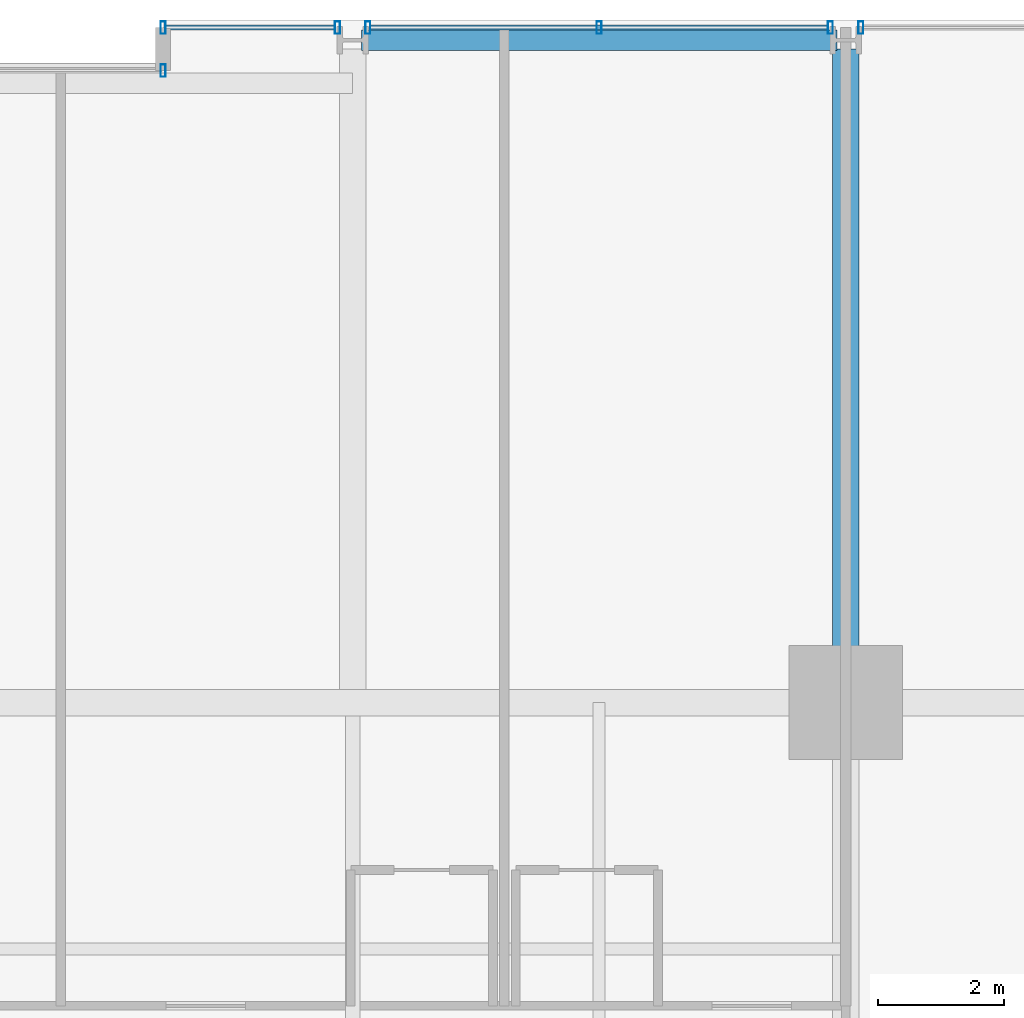
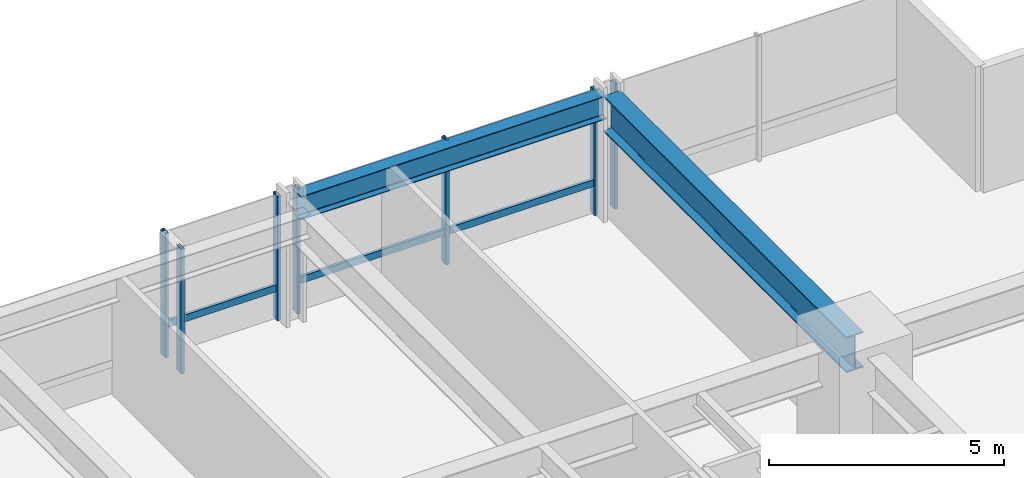
# One storey, part 27 of 38: 9 members, 2 beams, 4 elements without a shape of their own.
"""IFC4 building model written with IfcOpenShell, lengths in metres."""

from ifc_helpers import new_model, si_unit, direction, frame, origin, origin_2d, place, context, subcontext, project, spatial, hollow_rectangle, i_section, extrude, material, layer, layer_set, material_profile, profile_set, type_object, element, aggregate, save


model = new_model("IFC4")

# Units and contexts
model_context = context("Model", 3, precision=1e-05, world=origin(), true_north=direction((0.0, 1.0)))
body_context = subcontext(model_context, "Body", "Model", "MODEL_VIEW")
ifc_project = project(units=[si_unit("LENGTHUNIT", "METRE"), si_unit("AREAUNIT", "SQUARE_METRE"), si_unit("VOLUMEUNIT", "CUBIC_METRE"), si_unit("PLANEANGLEUNIT", "RADIAN"), si_unit("MASSUNIT", "GRAM", prefix="KILO")], contexts=[model_context])

# Site, building, storey
site_placement = place(None, origin())
site = spatial("IfcSite", under=ifc_project, at=site_placement, CompositionType="ELEMENT")
building_placement = place(site_placement, origin())
building = spatial("IfcBuilding", under=site, at=building_placement, Name="Drelvath Grand Hotel", CompositionType="ELEMENT")
storey_placement = place(building_placement, frame((0.0, 0.0, 57.699951171875)))
storey = spatial("IfcBuildingStorey", under=building, at=storey_placement, Name="L13", CompositionType="ELEMENT", Elevation=57.699951171875)

# Curtain wall, member
ifc_material_1 = material(Name="Warm Bronze Anodised Aluminium Frame", Category="aluminium")
ifc_layer = layer(ifc_material_1, 0.199951171875)
ifc_layer_set = layer_set([ifc_layer], Name="Warm Bronze Anodised Aluminium Frame")
curtain_wall_type = type_object("IfcCurtainWallType", Name="Stick Curtain Wall CW-02 Warm Bronze Low-Rise", PredefinedType="NOTDEFINED", material=ifc_layer_set)
curtain_wall_1_placement = place(storey_placement, origin())
curtain_wall_1 = element("IfcCurtainWall", 1, at=curtain_wall_1_placement, inside=storey, type_object=curtain_wall_type, Name="L13 CW-02 Curtain Wall CW02-L13-NE1", PredefinedType="NOTDEFINED")
ifc_material_profile_1 = material_profile(ifc_material_1, hollow_rectangle(XDim=0.074951171875, YDim=0.179931640625, WallThickness=0.0048828125, at=origin_2d()), Name="HSS180X75X5")
ifc_profile_set_1 = profile_set([ifc_material_profile_1], Name="Warm Bronze Anodised Aluminium Frame")
member_type_1 = type_object("IfcMemberType", Name="Curtain Wall Horizontal Transom CW-02 HSS180X75X5", PredefinedType="USERDEFINED", material=ifc_profile_set_1)
member_1_placement = place(storey_placement, frame((5.43994140625, 53.8798828125, 0.81005859375), z_axis=(1.0, 0.0, 0.0), x_axis=(0.0, 1.0, 0.0)))
member_1 = element("IfcMember", 2, at=member_1_placement, type_object=member_type_1, Name="CW02-L13-NE1 Sill Transom", ObjectType="TRANSOM", PredefinedType="USERDEFINED", context=body_context, shape_type="SweptSolid", body=[
    extrude(hollow_rectangle(XDim=0.074951171875, YDim=0.179931640625, WallThickness=0.0048828125, at=origin_2d()), origin(), (0.0, 0.0, 1.0), 2.67919921875),
])

curtain_wall_2_placement = place(storey_placement, origin())
curtain_wall_2 = element("IfcCurtainWall", 3, at=curtain_wall_2_placement, inside=storey, type_object=curtain_wall_type, Name="L13 CW-02 Curtain Wall CW02-L13-NE2", PredefinedType="NOTDEFINED")
member_2_placement = place(storey_placement, frame((8.680908203125, 53.8798828125, 0.81005859375), z_axis=(1.0, 0.0, 0.0), x_axis=(0.0, 1.0, 0.0)))
member_2 = element("IfcMember", 4, at=member_2_placement, type_object=member_type_1, Name="CW02-L13-NE2 Sill Transom", ObjectType="TRANSOM", PredefinedType="USERDEFINED", context=body_context, shape_type="SweptSolid", body=[
    extrude(hollow_rectangle(XDim=0.074951171875, YDim=0.179931640625, WallThickness=0.0048828125, at=origin_2d()), origin(), (0.0, 0.0, 1.0), 7.23828125),
])

curtain_wall_3_placement = place(storey_placement, origin())
curtain_wall_3 = element("IfcCurtainWall", 5, at=curtain_wall_3_placement, inside=storey, type_object=curtain_wall_type, Name="L13 CW-02 Curtain Wall CW02-L13-NM2", PredefinedType="NOTDEFINED")
ifc_material_profile_2 = material_profile(ifc_material_1, hollow_rectangle(XDim=0.080078125, YDim=0.199951171875, WallThickness=0.0048828125, at=origin_2d()), Name="HSS200X80X5")
ifc_profile_set_2 = profile_set([ifc_material_profile_2], Name="Warm Bronze Anodised Aluminium Frame")
member_type_2 = type_object("IfcMemberType", Name="Curtain Wall Vertical Mullion CW-02 HSS200X80X5", PredefinedType="MULLION", material=ifc_profile_set_2)
member_3_placement = place(storey_placement, frame((5.39990234375, 53.199951171875, 0.0), z_axis=(0.0, 0.0, 1.0), x_axis=(1.0, 0.0, 0.0)))
member_3 = element("IfcMember", 6, at=member_3_placement, type_object=member_type_2, Name="CW02-L13-NM2 Mullion 2", PredefinedType="MULLION", context=body_context, shape_type="SweptSolid", body=[
    extrude(hollow_rectangle(XDim=0.080078125, YDim=0.199951171875, WallThickness=0.0048828125, at=origin_2d()), origin(), (0.0, 0.0, 1.0), 3.239990234375),
])
aggregate(curtain_wall_3, [member_3])

# Member
member_4_placement = place(storey_placement, frame((5.39990234375, 53.8798828125, 0.0), z_axis=(0.0, 0.0, 1.0), x_axis=(1.0, 0.0, 0.0)))
member_4 = element("IfcMember", 7, at=member_4_placement, type_object=member_type_2, Name="CW02-L13-NE1 Mullion 1", PredefinedType="MULLION", context=body_context, shape_type="SweptSolid", body=[
    extrude(hollow_rectangle(XDim=0.080078125, YDim=0.199951171875, WallThickness=0.0048828125, at=origin_2d()), origin(), (0.0, 0.0, 1.0), 3.239990234375),
])

member_5_placement = place(storey_placement, frame((8.1591796875, 53.8798828125, 0.0), z_axis=(0.0, 0.0, 1.0), x_axis=(1.0, 0.0, 0.0)))
member_5 = element("IfcMember", 8, at=member_5_placement, type_object=member_type_2, Name="CW02-L13-NE1 Mullion 2", PredefinedType="MULLION", context=body_context, shape_type="SweptSolid", body=[
    extrude(hollow_rectangle(XDim=0.080078125, YDim=0.199951171875, WallThickness=0.0048828125, at=origin_2d()), origin(), (0.0, 0.0, 1.0), 3.239990234375),
])

aggregate(curtain_wall_1, [member_4, member_5, member_1])

member_6_placement = place(storey_placement, frame((8.640869140625, 53.8798828125, 0.0), z_axis=(0.0, 0.0, 1.0), x_axis=(1.0, 0.0, 0.0)))
member_6 = element("IfcMember", 9, at=member_6_placement, type_object=member_type_2, Name="CW02-L13-NE2 Mullion 1", PredefinedType="MULLION", context=body_context, shape_type="SweptSolid", body=[
    extrude(hollow_rectangle(XDim=0.080078125, YDim=0.199951171875, WallThickness=0.0048828125, at=origin_2d()), origin(), (0.0, 0.0, 1.0), 3.239990234375),
])

member_7_placement = place(storey_placement, frame((12.300048828125, 53.8798828125, 0.0), z_axis=(0.0, 0.0, 1.0), x_axis=(1.0, 0.0, 0.0)))
member_7 = element("IfcMember", 10, at=member_7_placement, type_object=member_type_2, Name="CW02-L13-NE2 Mullion 2", PredefinedType="MULLION", context=body_context, shape_type="SweptSolid", body=[
    extrude(hollow_rectangle(XDim=0.080078125, YDim=0.199951171875, WallThickness=0.0048828125, at=origin_2d()), origin(), (0.0, 0.0, 1.0), 3.239990234375),
])

member_8_placement = place(storey_placement, frame((15.958984375, 53.8798828125, 0.0), z_axis=(0.0, 0.0, 1.0), x_axis=(1.0, 0.0, 0.0)))
member_8 = element("IfcMember", 11, at=member_8_placement, type_object=member_type_2, Name="CW02-L13-NE2 Mullion 3", PredefinedType="MULLION", context=body_context, shape_type="SweptSolid", body=[
    extrude(hollow_rectangle(XDim=0.080078125, YDim=0.199951171875, WallThickness=0.0048828125, at=origin_2d()), origin(), (0.0, 0.0, 1.0), 3.239990234375),
])

aggregate(curtain_wall_2, [member_6, member_7, member_8, member_2])

# Curtain wall, member
curtain_wall_4_placement = place(storey_placement, origin())
curtain_wall_4 = element("IfcCurtainWall", 12, at=curtain_wall_4_placement, inside=storey, type_object=curtain_wall_type, Name="L13 CW-02 Curtain Wall CW02-L13-NE3", PredefinedType="NOTDEFINED")
member_9_placement = place(storey_placement, frame((16.44091796875, 53.8798828125, 0.0), z_axis=(0.0, 0.0, 1.0), x_axis=(1.0, 0.0, 0.0)))
member_9 = element("IfcMember", 13, at=member_9_placement, type_object=member_type_2, Name="CW02-L13-NE3 Mullion 1", PredefinedType="MULLION", context=body_context, shape_type="SweptSolid", body=[
    extrude(hollow_rectangle(XDim=0.080078125, YDim=0.199951171875, WallThickness=0.0048828125, at=origin_2d()), origin(), (0.0, 0.0, 1.0), 3.239990234375),
])
aggregate(curtain_wall_4, [member_9])

# Beams
ifc_material_2 = material(Name="Steel ASTM A992 Gr 50", Category="steel")
ifc_material_profile_3 = material_profile(ifc_material_2, i_section(OverallWidth=0.323974609375, OverallDepth=0.611083984375, WebThickness=0.0126953125, FlangeThickness=0.01904296875, FilletRadius=0.02197265625, at=origin_2d()), Name="W24X104")
ifc_profile_set_3 = profile_set([ifc_material_profile_3], Name="Steel ASTM A992 Gr 50")
beam_type_1 = type_object("IfcBeamType", Name="Perimeter Spandrel Beam W24X104", PredefinedType="SPANDREL", material=ifc_profile_set_3)
beam_1_placement = place(storey_placement, frame((8.5400390625, 53.679931640625, 2.9345703125), z_axis=(1.0, 0.0, 0.0), x_axis=(0.0, 1.0, 0.0)))
element("IfcBeam", 14, at=beam_1_placement, inside=storey, type_object=beam_type_1, Name="L13 Spandrel North E", PredefinedType="SPANDREL", context=body_context, shape_type="SweptSolid", body=[
    extrude(i_section(OverallWidth=0.323974609375, OverallDepth=0.611083984375, WebThickness=0.0126953125, FlangeThickness=0.01904296875, FilletRadius=0.02197265625, at=origin_2d()), origin(), (0.0, 0.0, 1.0), 7.52001953125),
])
ifc_material_profile_4 = material_profile(ifc_material_2, i_section(OverallWidth=0.418212890625, OverallDepth=0.926513671875, WebThickness=0.019287109375, FlangeThickness=0.031982421875, FilletRadius=0.028076171875, at=origin_2d()), Name="W36X231")
ifc_profile_set_4 = profile_set([ifc_material_profile_4], Name="Steel ASTM A992 Gr 50")
beam_type_2 = type_object("IfcBeamType", Name="Primary Floor Girder W36X231", PredefinedType="BEAM", material=ifc_profile_set_4)
beam_2_placement = place(storey_placement, frame((16.199951171875, 43.199951171875, 2.77685546875), z_axis=(0.0, 1.0, 0.0), x_axis=(-1.0, 0.0, 0.0)))
element("IfcBeam", 15, at=beam_2_placement, inside=storey, type_object=beam_type_2, Name="L13 North Grid Girder 7", PredefinedType="BEAM", context=body_context, shape_type="SweptSolid", body=[
    extrude(i_section(OverallWidth=0.418212890625, OverallDepth=0.926513671875, WebThickness=0.019287109375, FlangeThickness=0.031982421875, FilletRadius=0.028076171875, at=origin_2d()), origin(), (0.0, 0.0, 1.0), 10.340087890625),
])

save(model, "model.ifc")
